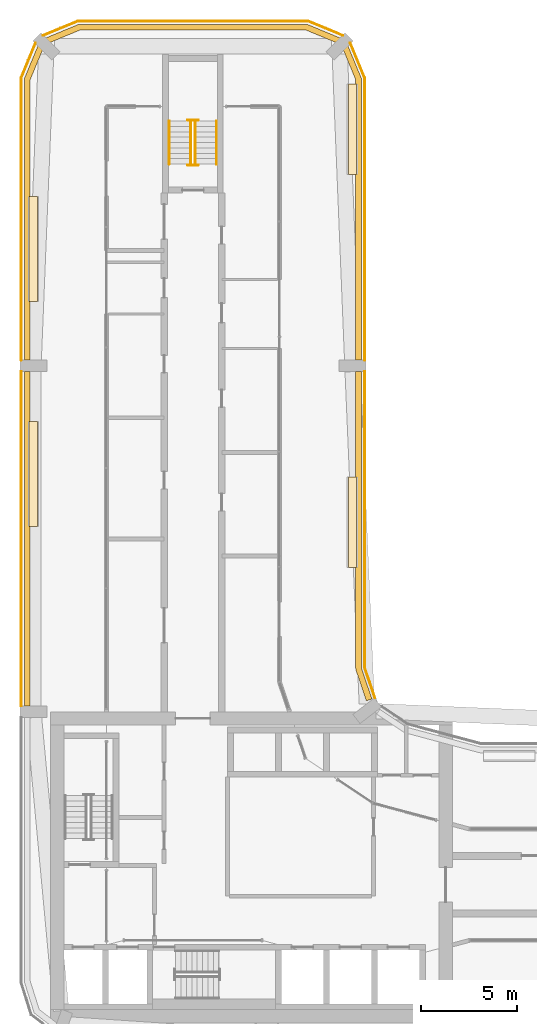
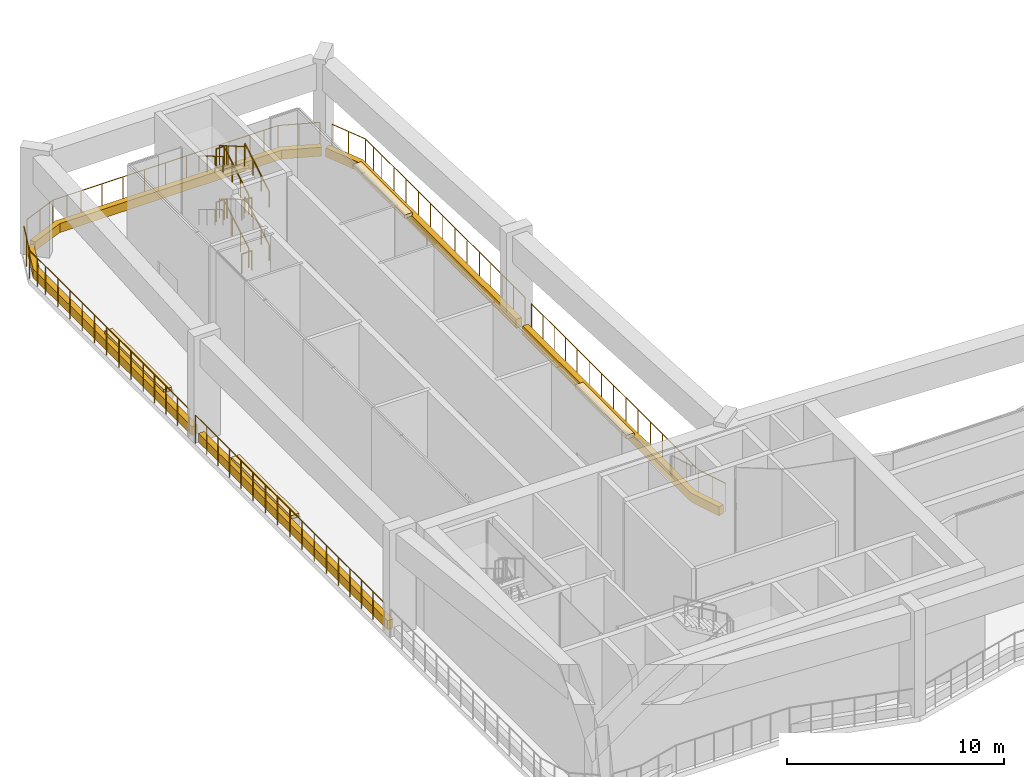
# One storey, part 23 of 24: 17 railings, 9 coverings.
"""IFC4 building model written with IfcOpenShell, lengths in metres."""

import ifcopenshell
import ifcopenshell.guid

model = None  # the IFC model being written
_history = None  # IfcOwnerHistory: only IFC2X3 demands one
_inside = {}  # id of a spatial element -> (the spatial element, [elements in it])
_under = {}  # id of a project, library or spatial element -> (it, [spatial elements below it])
_declared = {}  # id of a project -> (the project, [libraries it declares])
_typed = {}  # id of a type object -> (the type object, [elements of that type])
_made_of = {}  # id of a material, layer set ... -> (it, [elements and type objects made of it])


def new_model(schema):
    """Start an empty IFC model of exactly this schema.

    Asked for "IFC4X3", IfcOpenShell would pick the latest addendum, in which some entities
    have other attributes; the version numbers below select the first issue.
    IFC2X3 requires an IfcOwnerHistory on every rooted entity: one is made here for all.
    """
    global model, _history
    if schema == "IFC4X3":
        model = ifcopenshell.file(schema_version=(4, 3, 0, 0))
    else:
        model = ifcopenshell.file(schema=schema)
    _inside.clear()
    _under.clear()
    _declared.clear()
    _typed.clear()
    _made_of.clear()
    _history = None
    if model.schema == "IFC2X3":
        org = make("IfcOrganization", Name="unknown")
        user = make(
            "IfcPersonAndOrganization",
            ThePerson=make("IfcPerson", FamilyName="unknown"),
            TheOrganization=org,
        )
        app = make(
            "IfcApplication",
            ApplicationDeveloper=org,
            Version="unknown",
            ApplicationFullName="unknown",
            ApplicationIdentifier="unknown",
        )
        _history = make(
            "IfcOwnerHistory",
            OwningUser=user,
            OwningApplication=app,
            ChangeAction="ADDED",
            CreationDate=0,
        )
    return model


def make(cls, **values):
    """One entity of the class cls with the attributes given. An attribute that is None is left unset."""
    return model.create_entity(
        cls, **{name: value for name, value in values.items() if value is not None}
    )


def rooted(cls, **values):
    """An entity with a GlobalId (a new one), such as an element, a storey or a relation."""
    return make(cls, GlobalId=ifcopenshell.guid.new(), OwnerHistory=_history, **values)


def si_unit(unit_type, name, prefix=None):
    """IfcSIUnit, for example si_unit("LENGTHUNIT", "METRE", prefix="MILLI")."""
    return make("IfcSIUnit", UnitType=unit_type, Prefix=prefix, Name=name)


def assignment(units):
    """IfcUnitAssignment: the units of a project."""
    return None if units is None else make("IfcUnitAssignment", Units=units)


def point(xyz):
    """IfcCartesianPoint."""
    return None if xyz is None else make("IfcCartesianPoint", Coordinates=xyz)


def direction(xyz):
    """IfcDirection."""
    return None if xyz is None else make("IfcDirection", DirectionRatios=xyz)


def frame(location, z_axis=None, x_axis=None):
    """IfcAxis2Placement3D, a coordinate frame: its origin and axes. An axis left out is left unset."""
    return make(
        "IfcAxis2Placement3D",
        Location=point(location),
        Axis=direction(z_axis),
        RefDirection=direction(x_axis),
    )


def frame_2d(location, x_axis=None):
    """IfcAxis2Placement2D, a coordinate frame in the plane: its origin and x axis."""
    return make(
        "IfcAxis2Placement2D", Location=point(location), RefDirection=direction(x_axis)
    )


def origin():
    """The frame at (0, 0, 0) with its axes left unset."""
    return frame((0.0, 0.0, 0.0))


def origin_2d():
    """The frame at (0, 0) in the plane with its x axis left unset."""
    return frame_2d((0.0, 0.0))


def place(relative_to, where):
    """IfcLocalPlacement: puts the frame where relative to a parent placement (None: the world)."""
    return make(
        "IfcLocalPlacement", PlacementRelTo=relative_to, RelativePlacement=where
    )


def context(
    kind, dimensions, precision=None, world=None, true_north=None, identifier=None
):
    """IfcGeometricRepresentationContext, for example the 3D "Model" context."""
    return make(
        "IfcGeometricRepresentationContext",
        ContextIdentifier=identifier,
        ContextType=kind,
        CoordinateSpaceDimension=dimensions,
        Precision=precision,
        WorldCoordinateSystem=world,
        TrueNorth=true_north,
    )


def subcontext(parent, identifier, kind, view, scale=None):
    """IfcGeometricRepresentationSubContext, for example "Body" below "Model"."""
    return make(
        "IfcGeometricRepresentationSubContext",
        ContextIdentifier=identifier,
        ContextType=kind,
        ParentContext=parent,
        TargetScale=scale,
        TargetView=view,
    )


def project(units=None, contexts=None):
    """IfcProject with its units and contexts."""
    return rooted(
        "IfcProject",
        Name="project",
        RepresentationContexts=contexts,
        UnitsInContext=assignment(units),
    )


def spatial(cls, under=None, at=None, **own):
    """A site, building, storey or space (cls), placed at a placement, below another one or the project."""
    s = rooted(cls, ObjectPlacement=at, **own)
    if under is not None:
        _under.setdefault(under.id(), (under, []))[1].append(s)
    return s


def polyline(points):
    """IfcPolyline through the points."""
    return make("IfcPolyline", Points=[point(p) for p in points])


def profile(cls, at=None, kind="AREA", **sizes):
    """A parametric profile (cls). Its sizes go by their IFC names, for example OverallWidth=200.0."""
    return make(cls, ProfileType=kind, Position=at, **sizes)


def circle(**sizes):
    """IfcCircleProfileDef."""
    return profile("IfcCircleProfileDef", **sizes)


def outline(outer, holes=None, kind="AREA"):
    """IfcArbitraryClosedProfileDef: a profile drawn as a closed curve; with holes, ...WithVoids."""
    if holes is None:
        return make("IfcArbitraryClosedProfileDef", ProfileType=kind, OuterCurve=outer)
    return make(
        "IfcArbitraryProfileDefWithVoids",
        ProfileType=kind,
        OuterCurve=outer,
        InnerCurves=holes,
    )


def extrude(swept, where, along, depth):
    """IfcExtrudedAreaSolid: the profile swept, set in the frame where, extruded along a direction by depth."""
    return make(
        "IfcExtrudedAreaSolid",
        SweptArea=swept,
        Position=where,
        ExtrudedDirection=direction(along),
        Depth=depth,
    )


def shape(context_of_items, identifier, shape_type, items):
    """IfcShapeRepresentation: the items that make up one representation, for example the "Body"."""
    return make(
        "IfcShapeRepresentation",
        ContextOfItems=context_of_items,
        RepresentationIdentifier=identifier,
        RepresentationType=shape_type,
        Items=items,
    )


def material(Name=None, Category=None):
    """IfcMaterial."""
    return make("IfcMaterial", Name=Name, Category=Category)


def layer(
    of_material, thickness, ventilated=None, Name=None, Category=None, Priority=None
):
    """IfcMaterialLayer: one layer of a wall or slab, of a material (None: an air gap)."""
    return make(
        "IfcMaterialLayer",
        Material=of_material,
        LayerThickness=thickness,
        IsVentilated=ventilated,
        Name=Name,
        Category=Category,
        Priority=Priority,
    )


def layer_set(layers, Name=None):
    """IfcMaterialLayerSet."""
    return make("IfcMaterialLayerSet", MaterialLayers=layers, LayerSetName=Name)


def made_of(thing, what):
    """Note that an element or type object is made of a material, layer set ...; save() writes the relation."""
    if what is not None:
        _made_of.setdefault(what.id(), (what, []))[1].append(thing)
    return thing


def type_object(cls, material=None, **own):
    """A type object (cls), such as IfcWallType, which elements share."""
    return made_of(rooted(cls, **own), material)


def element(
    cls,
    number,
    at=None,
    inside=None,
    cuts=None,
    type_object=None,
    material=None,
    context=None,
    identifier="Body",
    shape_type=None,
    held_by="IfcProductDefinitionShape",
    body=None,
    shapes=None,
    **own,
):
    """One element of the class cls, such as IfcWall. Its Tag is "e" and its number.

    at: its placement. inside: the storey or other place that contains it. cuts: it is an
    opening in that element (IfcRelVoidsElement). A single representation is given by context,
    identifier, shape_type and body (its items); several are given by shapes. held_by: the class
    of the entity that holds the representations. save() writes the other relations.
    """
    e = rooted(cls, Tag="e%d" % number, ObjectPlacement=at, **own)
    if body is not None:
        shapes = [shape(context, identifier, shape_type, body)]
    if shapes is not None:
        e.Representation = make(held_by, Representations=shapes)
    if inside is not None:
        _inside.setdefault(inside.id(), (inside, []))[1].append(e)
    if cuts is not None:
        rooted(
            "IfcRelVoidsElement", RelatingBuildingElement=cuts, RelatedOpeningElement=e
        )
    if type_object is not None:
        _typed.setdefault(type_object.id(), (type_object, []))[1].append(e)
    return made_of(e, material)


def aggregate(whole, parts):
    """IfcRelAggregates: a whole, such as a stair, and the parts it consists of."""
    return rooted("IfcRelAggregates", RelatingObject=whole, RelatedObjects=parts)


def save(model, path):
    """Write the relations noted so far, then the file.

    IfcRelAggregates (storeys below a building ...), IfcRelContainedInSpatialStructure (elements
    in a storey), IfcRelDefinesByType, IfcRelAssociatesMaterial and IfcRelDeclares: one each for
    every whole, place, type object, material and project.
    """
    for whole, parts in _under.values():
        aggregate(whole, parts)
    for where, things in _inside.values():
        rooted(
            "IfcRelContainedInSpatialStructure",
            RelatedElements=things,
            RelatingStructure=where,
        )
    for kind, things in _typed.values():
        rooted("IfcRelDefinesByType", RelatedObjects=things, RelatingType=kind)
    for what, things in _made_of.values():
        rooted("IfcRelAssociatesMaterial", RelatedObjects=things, RelatingMaterial=what)
    for by, libraries in _declared.values():
        rooted("IfcRelDeclares", RelatingContext=by, RelatedDefinitions=libraries)
    model.write(path)


model = new_model("IFC4")

# Units and contexts
model_context = context("Model", 3, precision=1e-05, world=origin(), true_north=direction((0.0, 1.0)))
body_context = subcontext(model_context, "Body", "Model", "MODEL_VIEW")
ifc_project = project(units=[si_unit("LENGTHUNIT", "METRE"), si_unit("AREAUNIT", "SQUARE_METRE"), si_unit("VOLUMEUNIT", "CUBIC_METRE"), si_unit("PLANEANGLEUNIT", "RADIAN"), si_unit("MASSUNIT", "GRAM", prefix="KILO")], contexts=[model_context])

# Site, building, storey
site_placement = place(None, origin())
site = spatial("IfcSite", under=ifc_project, at=site_placement, CompositionType="ELEMENT")
building_placement = place(site_placement, origin())
building = spatial("IfcBuilding", under=site, at=building_placement, Name="Plateau Cross Towers", CompositionType="ELEMENT")
storey_placement = place(building_placement, frame((0.0, 0.0, 72.300048828125)))
storey = spatial("IfcBuildingStorey", under=building, at=storey_placement, Name="L18", CompositionType="ELEMENT", Elevation=72.300048828125)

# Railings
ifc_material_1 = material(Name="Stainless steel and toughened glass", Category="steel")
railing_type_1 = type_object("IfcRailingType", Name="Glass balustrade guard 1600", PredefinedType="GUARDRAIL", material=ifc_material_1)
railing_1_placement = place(storey_placement, frame((18.473388671875, 18.721435546875, 0.0)))
element("IfcRailing", 1, at=railing_1_placement, inside=storey, type_object=railing_type_1, Name="Guard A186_185", PredefinedType="GUARDRAIL", context=body_context, shape_type="SweptSolid", body=[
    extrude(circle(Radius=0.02392578125, at=origin_2d()), frame((0.0, 0.0, 1.576171875), z_axis=(-0.321520193873, 0.946902722001, 0.0), x_axis=(-0.946902722001, -0.321520193873, 0.0)), (0.0, 0.0, 1.0), 1.6591796875),
    extrude(circle(Radius=0.02392578125, at=origin_2d()), frame((-0.533447265625, 1.571044921875, 1.576171875), z_axis=(0.0, 1.0, 0.0), x_axis=(-1.0, 0.0, 0.0)), (0.0, 0.0, 1.0), 15.407470703125),
    extrude(circle(Radius=0.02099609375, at=origin_2d()), origin(), (0.0, 0.0, 1.0), 1.552001953125),
    extrude(circle(Radius=0.02099609375, at=origin_2d()), frame((-0.2666015625, 0.78564453125, 0.0)), (0.0, 0.0, 1.0), 1.552001953125),
    extrude(circle(Radius=0.02099609375, at=origin_2d()), frame((-0.533447265625, 1.571044921875, 0.0)), (0.0, 0.0, 1.0), 1.552001953125),
    extrude(circle(Radius=0.02099609375, at=origin_2d()), frame((-0.533447265625, 2.6748046875, 0.0)), (0.0, 0.0, 1.0), 1.552001953125),
    extrude(circle(Radius=0.02099609375, at=origin_2d()), frame((-0.533447265625, 3.778564453125, 0.0)), (0.0, 0.0, 1.0), 1.552001953125),
    extrude(circle(Radius=0.02099609375, at=origin_2d()), frame((-0.533447265625, 4.903564453125, 0.0)), (0.0, 0.0, 1.0), 1.552001953125),
    extrude(circle(Radius=0.02099609375, at=origin_2d()), frame((-0.533447265625, 6.028564453125, 0.0)), (0.0, 0.0, 1.0), 1.552001953125),
    extrude(circle(Radius=0.02099609375, at=origin_2d()), frame((-0.533447265625, 7.153564453125, 0.0)), (0.0, 0.0, 1.0), 1.552001953125),
    extrude(circle(Radius=0.02099609375, at=origin_2d()), frame((-0.533447265625, 8.278564453125, 0.0)), (0.0, 0.0, 1.0), 1.552001953125),
    extrude(circle(Radius=0.02099609375, at=origin_2d()), frame((-0.533447265625, 9.403564453125, 0.0)), (0.0, 0.0, 1.0), 1.552001953125),
    extrude(circle(Radius=0.02099609375, at=origin_2d()), frame((-0.533447265625, 10.528564453125, 0.0)), (0.0, 0.0, 1.0), 1.552001953125),
    extrude(circle(Radius=0.02099609375, at=origin_2d()), frame((-0.533447265625, 11.653564453125, 0.0)), (0.0, 0.0, 1.0), 1.552001953125),
    extrude(circle(Radius=0.02099609375, at=origin_2d()), frame((-0.533447265625, 12.778564453125, 0.0)), (0.0, 0.0, 1.0), 1.552001953125),
    extrude(circle(Radius=0.02099609375, at=origin_2d()), frame((-0.533447265625, 13.82861328125, 0.0)), (0.0, 0.0, 1.0), 1.552001953125),
    extrude(circle(Radius=0.02099609375, at=origin_2d()), frame((-0.533447265625, 14.87841796875, 0.0)), (0.0, 0.0, 1.0), 1.552001953125),
    extrude(circle(Radius=0.02099609375, at=origin_2d()), frame((-0.533447265625, 15.928466796875, 0.0)), (0.0, 0.0, 1.0), 1.552001953125),
    extrude(circle(Radius=0.02099609375, at=origin_2d()), frame((-0.533447265625, 16.978515625, 0.0)), (0.0, 0.0, 1.0), 1.552001953125),
])
railing_2_placement = place(storey_placement, frame((17.93994140625, 36.300048828125, 0.0)))
element("IfcRailing", 2, at=railing_2_placement, inside=storey, type_object=railing_type_1, Name="Guard A180_360", PredefinedType="GUARDRAIL", context=body_context, shape_type="SweptSolid", body=[
    extrude(circle(Radius=0.02392578125, at=origin_2d()), frame((0.0, 0.0, 1.576171875), z_axis=(0.0, 1.0, 0.0), x_axis=(-1.0, 0.0, 0.0)), (0.0, 0.0, 1.0), 14.68798828125),
    extrude(circle(Radius=0.02392578125, at=origin_2d()), frame((0.0, 14.68798828125, 1.576171875), z_axis=(-0.382641575801, 0.923896868957, 0.0), x_axis=(-0.923896868957, -0.382641575801, 0.0)), (0.0, 0.0, 1.0), 1.95947265625),
    extrude(circle(Radius=0.02099609375, at=origin_2d()), origin(), (0.0, 0.0, 1.0), 1.552001953125),
    extrude(circle(Radius=0.02099609375, at=origin_2d()), frame((0.0, 1.050048828125, 0.0)), (0.0, 0.0, 1.0), 1.552001953125),
    extrude(circle(Radius=0.02099609375, at=origin_2d()), frame((0.0, 2.10009765625, 0.0)), (0.0, 0.0, 1.0), 1.552001953125),
    extrude(circle(Radius=0.02099609375, at=origin_2d()), frame((0.0, 3.14990234375, 0.0)), (0.0, 0.0, 1.0), 1.552001953125),
    extrude(circle(Radius=0.02099609375, at=origin_2d()), frame((0.0, 4.199951171875, 0.0)), (0.0, 0.0, 1.0), 1.552001953125),
    extrude(circle(Radius=0.02099609375, at=origin_2d()), frame((0.0, 5.324951171875, 0.0)), (0.0, 0.0, 1.0), 1.552001953125),
    extrude(circle(Radius=0.02099609375, at=origin_2d()), frame((0.0, 6.449951171875, 0.0)), (0.0, 0.0, 1.0), 1.552001953125),
    extrude(circle(Radius=0.02099609375, at=origin_2d()), frame((0.0, 7.574951171875, 0.0)), (0.0, 0.0, 1.0), 1.552001953125),
    extrude(circle(Radius=0.02099609375, at=origin_2d()), frame((0.0, 8.699951171875, 0.0)), (0.0, 0.0, 1.0), 1.552001953125),
    extrude(circle(Radius=0.02099609375, at=origin_2d()), frame((0.0, 9.824951171875, 0.0)), (0.0, 0.0, 1.0), 1.552001953125),
    extrude(circle(Radius=0.02099609375, at=origin_2d()), frame((0.0, 10.949951171875, 0.0)), (0.0, 0.0, 1.0), 1.552001953125),
    extrude(circle(Radius=0.02099609375, at=origin_2d()), frame((0.0, 12.074951171875, 0.0)), (0.0, 0.0, 1.0), 1.552001953125),
    extrude(circle(Radius=0.02099609375, at=origin_2d()), frame((0.0, 13.199951171875, 0.0)), (0.0, 0.0, 1.0), 1.552001953125),
    extrude(circle(Radius=0.02099609375, at=origin_2d()), frame((0.0, 13.94384765625, 0.0)), (0.0, 0.0, 1.0), 1.552001953125),
    extrude(circle(Radius=0.02099609375, at=origin_2d()), frame((0.0, 14.68798828125, 0.0)), (0.0, 0.0, 1.0), 1.552001953125),
    extrude(circle(Radius=0.02099609375, at=origin_2d()), frame((-0.375, 15.59326171875, 0.0)), (0.0, 0.0, 1.0), 1.552001953125),
    extrude(circle(Radius=0.02099609375, at=origin_2d()), frame((-0.749755859375, 16.498291015625, 0.0)), (0.0, 0.0, 1.0), 1.552001953125),
])
railing_3_placement = place(storey_placement, frame((16.79833984375, 53.190185546875, 0.0)))
element("IfcRailing", 3, at=railing_3_placement, inside=storey, type_object=railing_type_1, Name="Guard A171_531", PredefinedType="GUARDRAIL", context=body_context, shape_type="SweptSolid", body=[
    extrude(circle(Radius=0.02392578125, at=origin_2d()), frame((0.0, 0.0, 1.576171875), z_axis=(-0.923896868957, 0.382641575801, 0.0), x_axis=(-0.382641575801, -0.923896868957, 0.0)), (0.0, 0.0, 1.0), 1.95947265625),
    extrude(circle(Radius=0.02392578125, at=origin_2d()), frame((-1.810302734375, 0.749755859375, 1.576171875), z_axis=(-1.0, 0.0, 0.0), x_axis=(0.0, -1.0, 0.0)), (0.0, 0.0, 1.0), 11.97607421875),
    extrude(circle(Radius=0.02392578125, at=origin_2d()), frame((-13.786376953125, 0.749755859375, 1.576171875), z_axis=(-0.923896868957, -0.382641575801, 0.0), x_axis=(0.382641575801, -0.923896868957, 0.0)), (0.0, 0.0, 1.0), 1.95947265625),
    extrude(circle(Radius=0.02099609375, at=origin_2d()), origin(), (0.0, 0.0, 1.0), 1.552001953125),
    extrude(circle(Radius=0.02099609375, at=origin_2d()), frame((-0.9052734375, 0.375, 0.0)), (0.0, 0.0, 1.0), 1.552001953125),
    extrude(circle(Radius=0.02099609375, at=origin_2d()), frame((-1.810302734375, 0.749755859375, 0.0)), (0.0, 0.0, 1.0), 1.552001953125),
    extrude(circle(Radius=0.02099609375, at=origin_2d()), frame((-2.55419921875, 0.749755859375, 0.0)), (0.0, 0.0, 1.0), 1.552001953125),
    extrude(circle(Radius=0.02099609375, at=origin_2d()), frame((-3.29833984375, 0.749755859375, 0.0)), (0.0, 0.0, 1.0), 1.552001953125),
    extrude(circle(Radius=0.02099609375, at=origin_2d()), frame((-4.42333984375, 0.749755859375, 0.0)), (0.0, 0.0, 1.0), 1.552001953125),
    extrude(circle(Radius=0.02099609375, at=origin_2d()), frame((-5.54833984375, 0.749755859375, 0.0)), (0.0, 0.0, 1.0), 1.552001953125),
    extrude(circle(Radius=0.02099609375, at=origin_2d()), frame((-6.67333984375, 0.749755859375, 0.0)), (0.0, 0.0, 1.0), 1.552001953125),
    extrude(circle(Radius=0.02099609375, at=origin_2d()), frame((-7.79833984375, 0.749755859375, 0.0)), (0.0, 0.0, 1.0), 1.552001953125),
    extrude(circle(Radius=0.02099609375, at=origin_2d()), frame((-8.92333984375, 0.749755859375, 0.0)), (0.0, 0.0, 1.0), 1.552001953125),
    extrude(circle(Radius=0.02099609375, at=origin_2d()), frame((-10.04833984375, 0.749755859375, 0.0)), (0.0, 0.0, 1.0), 1.552001953125),
    extrude(circle(Radius=0.02099609375, at=origin_2d()), frame((-11.17333984375, 0.749755859375, 0.0)), (0.0, 0.0, 1.0), 1.552001953125),
    extrude(circle(Radius=0.02099609375, at=origin_2d()), frame((-12.29833984375, 0.749755859375, 0.0)), (0.0, 0.0, 1.0), 1.552001953125),
    extrude(circle(Radius=0.02099609375, at=origin_2d()), frame((-13.04248046875, 0.749755859375, 0.0)), (0.0, 0.0, 1.0), 1.552001953125),
    extrude(circle(Radius=0.02099609375, at=origin_2d()), frame((-13.786376953125, 0.749755859375, 0.0)), (0.0, 0.0, 1.0), 1.552001953125),
    extrude(circle(Radius=0.02099609375, at=origin_2d()), frame((-14.69140625, 0.375, 0.0)), (0.0, 0.0, 1.0), 1.552001953125),
    extrude(circle(Radius=0.02099609375, at=origin_2d()), frame((-15.5966796875, 0.0, 0.0)), (0.0, 0.0, 1.0), 1.552001953125),
])
railing_4_placement = place(storey_placement, frame((0.809814453125, 52.79833984375, 0.0)))
element("IfcRailing", 4, at=railing_4_placement, inside=storey, type_object=railing_type_1, Name="Guard A9_531", PredefinedType="GUARDRAIL", context=body_context, shape_type="SweptSolid", body=[
    extrude(circle(Radius=0.02392578125, at=origin_2d()), frame((0.0, 0.0, 1.576171875), z_axis=(-0.382641575801, -0.923896868957, 0.0), x_axis=(0.923896868957, -0.382641575801, 0.0)), (0.0, 0.0, 1.0), 1.95947265625),
    extrude(circle(Radius=0.02392578125, at=origin_2d()), frame((-0.749755859375, -1.810302734375, 1.576171875), z_axis=(0.0, -1.0, 0.0), x_axis=(1.0, 0.0, 0.0)), (0.0, 0.0, 1.0), 14.68798828125),
    extrude(circle(Radius=0.02099609375, at=origin_2d()), origin(), (0.0, 0.0, 1.0), 1.552001953125),
    extrude(circle(Radius=0.02099609375, at=origin_2d()), frame((-0.375, -0.9052734375, 0.0)), (0.0, 0.0, 1.0), 1.552001953125),
    extrude(circle(Radius=0.02099609375, at=origin_2d()), frame((-0.749755859375, -1.810302734375, 0.0)), (0.0, 0.0, 1.0), 1.552001953125),
    extrude(circle(Radius=0.02099609375, at=origin_2d()), frame((-0.749755859375, -2.55419921875, 0.0)), (0.0, 0.0, 1.0), 1.552001953125),
    extrude(circle(Radius=0.02099609375, at=origin_2d()), frame((-0.749755859375, -3.29833984375, 0.0)), (0.0, 0.0, 1.0), 1.552001953125),
    extrude(circle(Radius=0.02099609375, at=origin_2d()), frame((-0.749755859375, -4.42333984375, 0.0)), (0.0, 0.0, 1.0), 1.552001953125),
    extrude(circle(Radius=0.02099609375, at=origin_2d()), frame((-0.749755859375, -5.54833984375, 0.0)), (0.0, 0.0, 1.0), 1.552001953125),
    extrude(circle(Radius=0.02099609375, at=origin_2d()), frame((-0.749755859375, -6.67333984375, 0.0)), (0.0, 0.0, 1.0), 1.552001953125),
    extrude(circle(Radius=0.02099609375, at=origin_2d()), frame((-0.749755859375, -7.79833984375, 0.0)), (0.0, 0.0, 1.0), 1.552001953125),
    extrude(circle(Radius=0.02099609375, at=origin_2d()), frame((-0.749755859375, -8.92333984375, 0.0)), (0.0, 0.0, 1.0), 1.552001953125),
    extrude(circle(Radius=0.02099609375, at=origin_2d()), frame((-0.749755859375, -10.04833984375, 0.0)), (0.0, 0.0, 1.0), 1.552001953125),
    extrude(circle(Radius=0.02099609375, at=origin_2d()), frame((-0.749755859375, -11.17333984375, 0.0)), (0.0, 0.0, 1.0), 1.552001953125),
    extrude(circle(Radius=0.02099609375, at=origin_2d()), frame((-0.749755859375, -12.29833984375, 0.0)), (0.0, 0.0, 1.0), 1.552001953125),
    extrude(circle(Radius=0.02099609375, at=origin_2d()), frame((-0.749755859375, -13.348388671875, 0.0)), (0.0, 0.0, 1.0), 1.552001953125),
    extrude(circle(Radius=0.02099609375, at=origin_2d()), frame((-0.749755859375, -14.3984375, 0.0)), (0.0, 0.0, 1.0), 1.552001953125),
    extrude(circle(Radius=0.02099609375, at=origin_2d()), frame((-0.749755859375, -15.4482421875, 0.0)), (0.0, 0.0, 1.0), 1.552001953125),
    extrude(circle(Radius=0.02099609375, at=origin_2d()), frame((-0.749755859375, -16.498291015625, 0.0)), (0.0, 0.0, 1.0), 1.552001953125),
])
railing_5_placement = place(storey_placement, frame((0.06005859375, 35.699951171875, 0.0)))
element("IfcRailing", 5, at=railing_5_placement, inside=storey, type_object=railing_type_1, Name="Guard A0_360", PredefinedType="GUARDRAIL", context=body_context, shape_type="SweptSolid", body=[
    extrude(circle(Radius=0.02392578125, at=origin_2d()), frame((0.0, 0.0, 1.576171875), z_axis=(0.0, -1.0, 0.0), x_axis=(1.0, 0.0, 0.0)), (0.0, 0.0, 1.0), 17.39990234375),
    extrude(circle(Radius=0.02099609375, at=origin_2d()), origin(), (0.0, 0.0, 1.0), 1.552001953125),
    extrude(circle(Radius=0.02099609375, at=origin_2d()), frame((0.0, -1.050048828125, 0.0)), (0.0, 0.0, 1.0), 1.552001953125),
    extrude(circle(Radius=0.02099609375, at=origin_2d()), frame((0.0, -2.10009765625, 0.0)), (0.0, 0.0, 1.0), 1.552001953125),
    extrude(circle(Radius=0.02099609375, at=origin_2d()), frame((0.0, -3.14990234375, 0.0)), (0.0, 0.0, 1.0), 1.552001953125),
    extrude(circle(Radius=0.02099609375, at=origin_2d()), frame((0.0, -4.199951171875, 0.0)), (0.0, 0.0, 1.0), 1.552001953125),
    extrude(circle(Radius=0.02099609375, at=origin_2d()), frame((0.0, -5.324951171875, 0.0)), (0.0, 0.0, 1.0), 1.552001953125),
    extrude(circle(Radius=0.02099609375, at=origin_2d()), frame((0.0, -6.449951171875, 0.0)), (0.0, 0.0, 1.0), 1.552001953125),
    extrude(circle(Radius=0.02099609375, at=origin_2d()), frame((0.0, -7.574951171875, 0.0)), (0.0, 0.0, 1.0), 1.552001953125),
    extrude(circle(Radius=0.02099609375, at=origin_2d()), frame((0.0, -8.699951171875, 0.0)), (0.0, 0.0, 1.0), 1.552001953125),
    extrude(circle(Radius=0.02099609375, at=origin_2d()), frame((0.0, -9.824951171875, 0.0)), (0.0, 0.0, 1.0), 1.552001953125),
    extrude(circle(Radius=0.02099609375, at=origin_2d()), frame((0.0, -10.949951171875, 0.0)), (0.0, 0.0, 1.0), 1.552001953125),
    extrude(circle(Radius=0.02099609375, at=origin_2d()), frame((0.0, -12.074951171875, 0.0)), (0.0, 0.0, 1.0), 1.552001953125),
    extrude(circle(Radius=0.02099609375, at=origin_2d()), frame((0.0, -13.199951171875, 0.0)), (0.0, 0.0, 1.0), 1.552001953125),
    extrude(circle(Radius=0.02099609375, at=origin_2d()), frame((0.0, -14.25, 0.0)), (0.0, 0.0, 1.0), 1.552001953125),
    extrude(circle(Radius=0.02099609375, at=origin_2d()), frame((0.0, -15.2998046875, 0.0)), (0.0, 0.0, 1.0), 1.552001953125),
    extrude(circle(Radius=0.02099609375, at=origin_2d()), frame((0.0, -16.349853515625, 0.0)), (0.0, 0.0, 1.0), 1.552001953125),
    extrude(circle(Radius=0.02099609375, at=origin_2d()), frame((0.0, -17.39990234375, 0.0)), (0.0, 0.0, 1.0), 1.552001953125),
])

# Coverings
ifc_material_2 = material(Name="Planting substrate and ground cover")
ifc_layer = layer(ifc_material_2, 0.199951171875)
ifc_layer_set = layer_set([ifc_layer], Name="Planting substrate and ground cover")
covering_type_1 = type_object("IfcCoveringType", Name="Planting bed 200", PredefinedType="FLOORING", material=ifc_layer_set)
covering_1_placement = place(storey_placement, frame((0.0, 0.0, 0.449951171875)))
element("IfcCovering", 6, at=covering_1_placement, inside=storey, type_object=covering_type_1, Name="Planting bed 1", PredefinedType="FLOORING", context=body_context, shape_type="SweptSolid", body=[
    extrude(outline(polyline([(0.47998046875, 33.0947265625), (0.909912109375, 33.0947265625), (0.909912109375, 27.638916015625), (0.47998046875, 27.638916015625), (0.47998046875, 33.0947265625)])), origin(), (0.0, 0.0, 1.0), 0.199951171875),
])
covering_2_placement = place(storey_placement, frame((0.0, 0.0, 0.449951171875)))
element("IfcCovering", 7, at=covering_2_placement, inside=storey, type_object=covering_type_1, Name="Planting bed 2", PredefinedType="FLOORING", context=body_context, shape_type="SweptSolid", body=[
    extrude(outline(polyline([(0.47998046875, 44.80615234375), (0.909912109375, 44.80615234375), (0.909912109375, 39.350341796875), (0.47998046875, 39.350341796875), (0.47998046875, 44.80615234375)])), origin(), (0.0, 0.0, 1.0), 0.199951171875),
])
covering_3_placement = place(storey_placement, frame((0.0, 0.0, 0.449951171875)))
element("IfcCovering", 8, at=covering_3_placement, inside=storey, type_object=covering_type_1, Name="Planting bed 3", PredefinedType="FLOORING", context=body_context, shape_type="SweptSolid", body=[
    extrude(outline(polyline([(17.52001953125, 45.949462890625), (17.090087890625, 45.949462890625), (17.090087890625, 50.661865234375), (17.52001953125, 50.661865234375), (17.52001953125, 45.949462890625)])), origin(), (0.0, 0.0, 1.0), 0.199951171875),
])
covering_4_placement = place(storey_placement, frame((0.0, 0.0, 0.449951171875)))
element("IfcCovering", 9, at=covering_4_placement, inside=storey, type_object=covering_type_1, Name="Planting bed 4", PredefinedType="FLOORING", context=body_context, shape_type="SweptSolid", body=[
    extrude(outline(polyline([(17.52001953125, 25.5), (17.090087890625, 25.5), (17.090087890625, 30.212158203125), (17.52001953125, 30.212158203125), (17.52001953125, 25.5)])), origin(), (0.0, 0.0, 1.0), 0.199951171875),
])

# Railings
railing_type_2 = type_object("IfcRailingType", Name="RL-GUARD-1100", PredefinedType="GUARDRAIL", material=ifc_material_1)
railing_6_placement = place(storey_placement, frame((9.125, 46.5, 0.16650390625)))
element("IfcRailing", 10, at=railing_6_placement, inside=storey, type_object=railing_type_2, Name="L18 ES-N stair guard 1", PredefinedType="GUARDRAIL", context=body_context, shape_type="SweptSolid", body=[
    extrude(circle(Radius=0.02392578125, at=origin_2d()), frame((0.0, 0.0, 1.076171875), z_axis=(0.0, 0.859264461869, 0.511531606619), x_axis=(-1.0, 0.0, 0.0)), (0.0, 0.0, 1.0), 2.60693359375),
    extrude(circle(Radius=0.02099609375, at=origin_2d()), origin(), (0.0, 0.0, 1.0), 1.052001953125),
    extrude(circle(Radius=0.02099609375, at=origin_2d()), frame((0.0, 0.74658203125, 0.444580078125)), (0.0, 0.0, 1.0), 1.052001953125),
    extrude(circle(Radius=0.02099609375, at=origin_2d()), frame((0.0, 1.493408203125, 0.888916015625)), (0.0, 0.0, 1.0), 1.052001953125),
    extrude(circle(Radius=0.02099609375, at=origin_2d()), frame((0.0, 2.239990234375, 1.33349609375)), (0.0, 0.0, 1.0), 1.052001953125),
])
railing_7_placement = place(storey_placement, frame((9.27490234375, 48.7900390625, 1.5)))
element("IfcRailing", 11, at=railing_7_placement, inside=storey, type_object=railing_type_2, Name="L18 ES-N stair guard 2", PredefinedType="GUARDRAIL", context=body_context, shape_type="SweptSolid", body=[
    extrude(circle(Radius=0.02392578125, at=origin_2d()), frame((0.0, 0.0, 1.076171875), z_axis=(-1.0, 0.0, 0.0), x_axis=(0.0, -1.0, 0.0)), (0.0, 0.0, 1.0), 0.5498046875),
    extrude(circle(Radius=0.02099609375, at=origin_2d()), origin(), (0.0, 0.0, 1.0), 1.052001953125),
    extrude(circle(Radius=0.02099609375, at=origin_2d()), frame((-0.5498046875, 0.0, 0.0)), (0.0, 0.0, 1.0), 1.052001953125),
])
railing_8_placement = place(storey_placement, frame((8.875, 48.739990234375, 1.66650390625)))
element("IfcRailing", 12, at=railing_8_placement, inside=storey, type_object=railing_type_2, Name="L18 ES-N stair guard 3", PredefinedType="GUARDRAIL", context=body_context, shape_type="SweptSolid", body=[
    extrude(circle(Radius=0.02392578125, at=origin_2d()), frame((0.0, 0.0, 1.076171875), z_axis=(0.0, -0.859264461869, 0.511531606619), x_axis=(1.0, 0.0, 0.0)), (0.0, 0.0, 1.0), 2.60693359375),
    extrude(circle(Radius=0.02099609375, at=origin_2d()), origin(), (0.0, 0.0, 1.0), 1.052001953125),
    extrude(circle(Radius=0.02099609375, at=origin_2d()), frame((0.0, -0.74658203125, 0.444580078125)), (0.0, 0.0, 1.0), 1.052001953125),
    extrude(circle(Radius=0.02099609375, at=origin_2d()), frame((0.0, -1.493408203125, 0.888916015625)), (0.0, 0.0, 1.0), 1.052001953125),
    extrude(circle(Radius=0.02099609375, at=origin_2d()), frame((0.0, -2.239990234375, 1.33349609375)), (0.0, 0.0, 1.0), 1.052001953125),
])
railing_9_placement = place(storey_placement, frame((9.27490234375, 46.449951171875, 3.0)))
element("IfcRailing", 13, at=railing_9_placement, inside=storey, type_object=railing_type_2, Name="L18 ES-N stair guard 4", PredefinedType="GUARDRAIL", context=body_context, shape_type="SweptSolid", body=[
    extrude(circle(Radius=0.02392578125, at=origin_2d()), frame((0.0, 0.0, 1.076171875), z_axis=(-1.0, 0.0, 0.0), x_axis=(0.0, -1.0, 0.0)), (0.0, 0.0, 1.0), 0.5498046875),
    extrude(circle(Radius=0.02099609375, at=origin_2d()), origin(), (0.0, 0.0, 1.0), 1.052001953125),
    extrude(circle(Radius=0.02099609375, at=origin_2d()), frame((-0.5498046875, 0.0, 0.0)), (0.0, 0.0, 1.0), 1.052001953125),
])
railing_10_placement = place(storey_placement, frame((9.125, 46.5, 3.16650390625)))
element("IfcRailing", 14, at=railing_10_placement, inside=storey, type_object=railing_type_2, Name="L18 ES-N stair guard 5", PredefinedType="GUARDRAIL", context=body_context, shape_type="SweptSolid", body=[
    extrude(circle(Radius=0.02392578125, at=origin_2d()), frame((0.0, 0.0, 1.076171875), z_axis=(0.0, 0.859264461869, 0.511531606619), x_axis=(-1.0, 0.0, 0.0)), (0.0, 0.0, 1.0), 2.60693359375),
    extrude(circle(Radius=0.02099609375, at=origin_2d()), origin(), (0.0, 0.0, 1.0), 1.052001953125),
    extrude(circle(Radius=0.02099609375, at=origin_2d()), frame((0.0, 0.74658203125, 0.444580078125)), (0.0, 0.0, 1.0), 1.052001953125),
    extrude(circle(Radius=0.02099609375, at=origin_2d()), frame((0.0, 1.493408203125, 0.888916015625)), (0.0, 0.0, 1.0), 1.052001953125),
    extrude(circle(Radius=0.02099609375, at=origin_2d()), frame((0.0, 2.239990234375, 1.33349609375)), (0.0, 0.0, 1.0), 1.052001953125),
])
railing_11_placement = place(storey_placement, frame((9.27490234375, 48.7900390625, 4.5)))
element("IfcRailing", 15, at=railing_11_placement, inside=storey, type_object=railing_type_2, Name="L18 ES-N stair guard 6", PredefinedType="GUARDRAIL", context=body_context, shape_type="SweptSolid", body=[
    extrude(circle(Radius=0.02392578125, at=origin_2d()), frame((0.0, 0.0, 1.076171875), z_axis=(-1.0, 0.0, 0.0), x_axis=(0.0, -1.0, 0.0)), (0.0, 0.0, 1.0), 0.5498046875),
    extrude(circle(Radius=0.02099609375, at=origin_2d()), origin(), (0.0, 0.0, 1.0), 1.052001953125),
    extrude(circle(Radius=0.02099609375, at=origin_2d()), frame((-0.5498046875, 0.0, 0.0)), (0.0, 0.0, 1.0), 1.052001953125),
])
railing_12_placement = place(storey_placement, frame((8.875, 48.739990234375, 4.66650390625)))
element("IfcRailing", 16, at=railing_12_placement, inside=storey, type_object=railing_type_2, Name="L18 ES-N stair guard 7", PredefinedType="GUARDRAIL", context=body_context, shape_type="SweptSolid", body=[
    extrude(circle(Radius=0.02392578125, at=origin_2d()), frame((0.0, 0.0, 1.076171875), z_axis=(0.0, -0.864166253726, 0.503206404888), x_axis=(1.0, 0.0, 0.0)), (0.0, 0.0, 1.0), 2.64990234375),
    extrude(circle(Radius=0.02099609375, at=origin_2d()), origin(), (0.0, 0.0, 1.0), 1.052001953125),
    extrude(circle(Radius=0.02099609375, at=origin_2d()), frame((0.0, -0.763427734375, 0.444580078125)), (0.0, 0.0, 1.0), 1.052001953125),
    extrude(circle(Radius=0.02099609375, at=origin_2d()), frame((0.0, -1.526611328125, 0.888916015625)), (0.0, 0.0, 1.0), 1.052001953125),
    extrude(circle(Radius=0.02099609375, at=origin_2d()), frame((0.0, -2.2900390625, 1.33349609375)), (0.0, 0.0, 1.0), 1.052001953125),
])
railing_13_placement = place(storey_placement, frame((9.27490234375, 46.449951171875, 0.0)))
element("IfcRailing", 17, at=railing_13_placement, inside=storey, type_object=railing_type_2, Name="L18 ES-N stair guard 8", PredefinedType="GUARDRAIL", context=body_context, shape_type="SweptSolid", body=[
    extrude(circle(Radius=0.02392578125, at=origin_2d()), frame((0.0, 0.0, 1.076171875), z_axis=(-1.0, 0.0, 0.0), x_axis=(0.0, -1.0, 0.0)), (0.0, 0.0, 1.0), 0.5498046875),
    extrude(circle(Radius=0.02099609375, at=origin_2d()), origin(), (0.0, 0.0, 1.0), 1.052001953125),
    extrude(circle(Radius=0.02099609375, at=origin_2d()), frame((-0.5498046875, 0.0, 0.0)), (0.0, 0.0, 1.0), 1.052001953125),
])
ifc_material_3 = material(Name="Black anodised aluminium", Category="aluminium")
railing_type_3 = type_object("IfcRailingType", Name="RL-HANDRAIL-900", PredefinedType="HANDRAIL", material=ifc_material_3)
railing_14_placement = place(storey_placement, frame((10.22509765625, 46.5, 0.16650390625)))
element("IfcRailing", 18, at=railing_14_placement, inside=storey, type_object=railing_type_3, Name="L18 ES-N stair handrail 1", PredefinedType="HANDRAIL", context=body_context, shape_type="SweptSolid", body=[
    extrude(circle(Radius=0.02392578125, at=origin_2d()), frame((0.0, 0.0, 0.8759765625), z_axis=(0.0, 0.859264461869, 0.511531606619), x_axis=(-1.0, 0.0, 0.0)), (0.0, 0.0, 1.0), 2.60693359375),
    extrude(circle(Radius=0.02099609375, at=origin_2d()), origin(), (0.0, 0.0, 1.0), 0.851806640625),
    extrude(circle(Radius=0.02099609375, at=origin_2d()), frame((0.0, 0.74658203125, 0.444580078125)), (0.0, 0.0, 1.0), 0.851806640625),
    extrude(circle(Radius=0.02099609375, at=origin_2d()), frame((0.0, 1.493408203125, 0.888916015625)), (0.0, 0.0, 1.0), 0.851806640625),
    extrude(circle(Radius=0.02099609375, at=origin_2d()), frame((0.0, 2.239990234375, 1.33349609375)), (0.0, 0.0, 1.0), 0.851806640625),
])
railing_15_placement = place(storey_placement, frame((7.77490234375, 48.739990234375, 1.66650390625)))
element("IfcRailing", 19, at=railing_15_placement, inside=storey, type_object=railing_type_3, Name="L18 ES-N stair handrail 2", PredefinedType="HANDRAIL", context=body_context, shape_type="SweptSolid", body=[
    extrude(circle(Radius=0.02392578125, at=origin_2d()), frame((0.0, 0.0, 0.8759765625), z_axis=(0.0, -0.859264461869, 0.511531606619), x_axis=(1.0, 0.0, 0.0)), (0.0, 0.0, 1.0), 2.60693359375),
    extrude(circle(Radius=0.02099609375, at=origin_2d()), origin(), (0.0, 0.0, 1.0), 0.851806640625),
    extrude(circle(Radius=0.02099609375, at=origin_2d()), frame((0.0, -0.74658203125, 0.444580078125)), (0.0, 0.0, 1.0), 0.851806640625),
    extrude(circle(Radius=0.02099609375, at=origin_2d()), frame((0.0, -1.493408203125, 0.888916015625)), (0.0, 0.0, 1.0), 0.851806640625),
    extrude(circle(Radius=0.02099609375, at=origin_2d()), frame((0.0, -2.239990234375, 1.33349609375)), (0.0, 0.0, 1.0), 0.851806640625),
])
railing_16_placement = place(storey_placement, frame((10.22509765625, 46.5, 3.16650390625)))
element("IfcRailing", 20, at=railing_16_placement, inside=storey, type_object=railing_type_3, Name="L18 ES-N stair handrail 3", PredefinedType="HANDRAIL", context=body_context, shape_type="SweptSolid", body=[
    extrude(circle(Radius=0.02392578125, at=origin_2d()), frame((0.0, 0.0, 0.8759765625), z_axis=(0.0, 0.859264461869, 0.511531606619), x_axis=(-1.0, 0.0, 0.0)), (0.0, 0.0, 1.0), 2.60693359375),
    extrude(circle(Radius=0.02099609375, at=origin_2d()), origin(), (0.0, 0.0, 1.0), 0.851806640625),
    extrude(circle(Radius=0.02099609375, at=origin_2d()), frame((0.0, 0.74658203125, 0.444580078125)), (0.0, 0.0, 1.0), 0.851806640625),
    extrude(circle(Radius=0.02099609375, at=origin_2d()), frame((0.0, 1.493408203125, 0.888916015625)), (0.0, 0.0, 1.0), 0.851806640625),
    extrude(circle(Radius=0.02099609375, at=origin_2d()), frame((0.0, 2.239990234375, 1.33349609375)), (0.0, 0.0, 1.0), 0.851806640625),
])
railing_17_placement = place(storey_placement, frame((7.77490234375, 48.739990234375, 4.66650390625)))
element("IfcRailing", 21, at=railing_17_placement, inside=storey, type_object=railing_type_3, Name="L18 ES-N stair handrail 4", PredefinedType="HANDRAIL", context=body_context, shape_type="SweptSolid", body=[
    extrude(circle(Radius=0.02392578125, at=origin_2d()), frame((0.0, 0.0, 0.8759765625), z_axis=(0.0, -0.859264461869, 0.511531606619), x_axis=(1.0, 0.0, 0.0)), (0.0, 0.0, 1.0), 2.60693359375),
    extrude(circle(Radius=0.02099609375, at=origin_2d()), origin(), (0.0, 0.0, 1.0), 0.851806640625),
    extrude(circle(Radius=0.02099609375, at=origin_2d()), frame((0.0, -0.74658203125, 0.444580078125)), (0.0, 0.0, 1.0), 0.851806640625),
    extrude(circle(Radius=0.02099609375, at=origin_2d()), frame((0.0, -1.493408203125, 0.888916015625)), (0.0, 0.0, 1.0), 0.851806640625),
    extrude(circle(Radius=0.02099609375, at=origin_2d()), frame((0.0, -2.239990234375, 1.33349609375)), (0.0, 0.0, 1.0), 0.851806640625),
])

# Coverings
ifc_material_4 = material(Name="Light precast concrete cladding C40/50", Category="concrete")
covering_type_2 = type_object("IfcCoveringType", Name="Sill kerb cladding 300x500", PredefinedType="CLADDING", material=ifc_material_4)
covering_5_placement = place(storey_placement, origin())
element("IfcCovering", 22, at=covering_5_placement, inside=storey, type_object=covering_type_2, Name="Sill kerb 3", PredefinedType="CLADDING", context=body_context, shape_type="SweptSolid", body=[
    extrude(outline(polyline([(17.48095703125, 20.190673828125), (17.47265625, 20.2412109375), (17.469970703125, 20.288330078125), (17.469970703125, 35.699951171875), (17.77001953125, 35.699951171875), (17.77001953125, 20.29638671875), (17.771240234375, 20.27392578125), (17.774169921875, 20.255615234375), (17.7802734375, 20.23388671875), (18.312255859375, 18.666748046875), (18.0283203125, 18.5703125), (17.49365234375, 20.145263671875), (17.48095703125, 20.190673828125)])), origin(), (0.0, 0.0, 1.0), 0.5),
])
covering_6_placement = place(storey_placement, origin())
element("IfcCovering", 23, at=covering_6_placement, inside=storey, type_object=covering_type_2, Name="Sill kerb 4", PredefinedType="CLADDING", context=body_context, shape_type="SweptSolid", body=[
    extrude(outline(polyline([(16.755859375, 52.618408203125), (17.033203125, 52.733154296875), (17.77001953125, 50.954345703125), (17.77001953125, 36.300048828125), (17.469970703125, 36.300048828125), (17.469970703125, 50.89453125), (16.755859375, 52.618408203125)])), origin(), (0.0, 0.0, 1.0), 0.5),
])
covering_7_placement = place(storey_placement, origin())
element("IfcCovering", 24, at=covering_7_placement, inside=storey, type_object=covering_type_2, Name="Sill kerb 5", PredefinedType="CLADDING", context=body_context, shape_type="SweptSolid", body=[
    extrude(outline(polyline([(3.10546875, 53.469970703125), (1.381591796875, 52.755859375), (1.266845703125, 53.033203125), (3.045654296875, 53.77001953125), (14.954345703125, 53.77001953125), (16.733154296875, 53.033203125), (16.618408203125, 52.755859375), (14.89453125, 53.469970703125), (3.10546875, 53.469970703125)])), origin(), (0.0, 0.0, 1.0), 0.5),
])
covering_8_placement = place(storey_placement, origin())
element("IfcCovering", 25, at=covering_8_placement, inside=storey, type_object=covering_type_2, Name="Sill kerb 6", PredefinedType="CLADDING", context=body_context, shape_type="SweptSolid", body=[
    extrude(outline(polyline([(0.530029296875, 36.300048828125), (0.22998046875, 36.300048828125), (0.22998046875, 50.954345703125), (0.966796875, 52.733154296875), (1.244140625, 52.618408203125), (0.530029296875, 50.89453125), (0.530029296875, 36.300048828125)])), origin(), (0.0, 0.0, 1.0), 0.5),
])
covering_9_placement = place(storey_placement, origin())
element("IfcCovering", 26, at=covering_9_placement, inside=storey, type_object=covering_type_2, Name="Sill kerb 7", PredefinedType="CLADDING", context=body_context, shape_type="SweptSolid", body=[
    extrude(outline(polyline([(0.22998046875, 18.300048828125), (0.22998046875, 35.699951171875), (0.530029296875, 35.699951171875), (0.530029296875, 18.300048828125), (0.22998046875, 18.300048828125)])), origin(), (0.0, 0.0, 1.0), 0.5),
])

save(model, "model.ifc")
